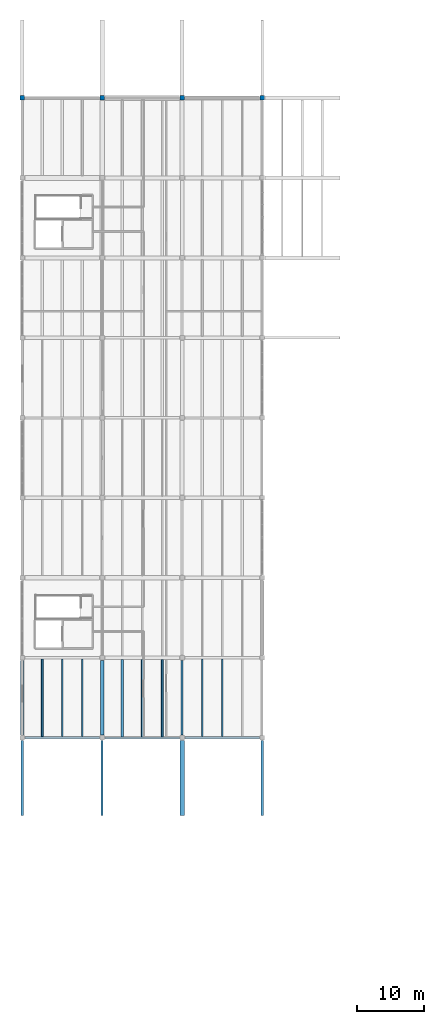
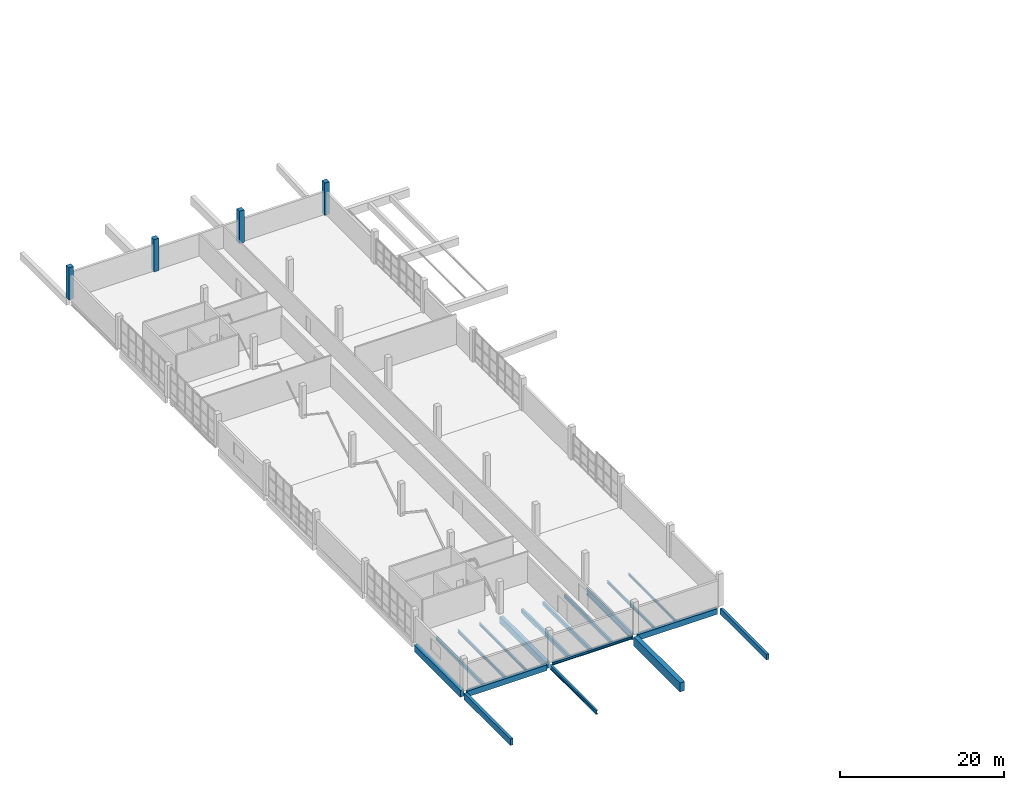
# One storey, part 4 of 49: 18 beams, 4 columns.
"""IFC4 building model written with IfcOpenShell, lengths in metres."""

from ifc_helpers import new_model, si_unit, direction, frame, origin, origin_2d, place, context, subcontext, project, spatial, rectangle, i_section, extrude, material, material_profile, profile_set, type_object, element, save


model = new_model("IFC4")

# Units and contexts
model_context = context("Model", 3, precision=1e-05, world=origin(), true_north=direction((0.0, 1.0)))
body_context = subcontext(model_context, "Body", "Model", "MODEL_VIEW")
ifc_project = project(units=[si_unit("LENGTHUNIT", "METRE"), si_unit("AREAUNIT", "SQUARE_METRE"), si_unit("VOLUMEUNIT", "CUBIC_METRE"), si_unit("PLANEANGLEUNIT", "RADIAN"), si_unit("MASSUNIT", "GRAM", prefix="KILO")], contexts=[model_context])

# Site, building, storey
site_placement = place(None, origin())
site = spatial("IfcSite", under=ifc_project, at=site_placement, CompositionType="ELEMENT")
building_placement = place(site_placement, origin())
building = spatial("IfcBuilding", under=site, at=building_placement, Name="Kamomehara Wholesale Market", CompositionType="ELEMENT")
storey_placement = place(building_placement, frame((0.0, 0.0, 11.39990234375)))
storey = spatial("IfcBuildingStorey", under=building, at=storey_placement, Name="L02", CompositionType="ELEMENT", Elevation=11.39990234375)

# Columns
ifc_material_1 = material(Name="Precast concrete Fc45 (C40/50)", Category="concrete")
ifc_material_profile_1 = material_profile(ifc_material_1, rectangle(XDim=0.679931640625, YDim=0.679931640625, at=origin_2d()), Name="PC-COL-680x680")
ifc_profile_set_1 = profile_set([ifc_material_profile_1], Name="Precast concrete Fc45 (C40/50)")
column_type_1 = type_object("IfcColumnType", Name="COL-PC680", PredefinedType="COLUMN", material=ifc_profile_set_1)
for number, where, z_axis, x_axis, name in (
    (1, (12.0, 144.0, 0.0), (0.0, 0.0, 1.0), (1.0, 0.0, 0.0), "Column C-15 L02"),
    (2, (24.0, 144.0, 0.0), (0.0, 0.0, 1.0), (1.0, 0.0, 0.0), "Column C-15 L02"),
):
    element("IfcColumn", number, at=place(storey_placement, frame(where, z_axis=z_axis, x_axis=x_axis)), inside=storey, type_object=column_type_1, Name=name, PredefinedType="COLUMN", context=body_context, shape_type="SweptSolid", body=[
        extrude(rectangle(XDim=0.679931640625, YDim=0.679931640625, at=origin_2d()), origin(), (0.0, 0.0, 1.0), 4.800048828125),
    ])
ifc_material_2 = material(Name="Precast concrete Fc45 (C40/50)", Category="concrete")
ifc_material_profile_2 = material_profile(ifc_material_2, rectangle(XDim=0.679931640625, YDim=0.679931640625, at=origin_2d()), Name="PC-COL-680x680")
ifc_profile_set_2 = profile_set([ifc_material_profile_2], Name="Precast concrete Fc45 (C40/50)")
column_type_2 = type_object("IfcColumnType", Name="COL-PC680-EXT", PredefinedType="COLUMN", material=ifc_profile_set_2)
for number, where, z_axis, x_axis, name in (
    (3, (0.0, 144.0, 0.0), (0.0, 0.0, 1.0), (1.0, 0.0, 0.0), "Column C-15E L02"),
    (4, (36.0, 144.0, 0.0), (0.0, 0.0, 1.0), (1.0, 0.0, 0.0), "Column C-15E L02"),
):
    element("IfcColumn", number, at=place(storey_placement, frame(where, z_axis=z_axis, x_axis=x_axis)), inside=storey, type_object=column_type_2, Name=name, PredefinedType="COLUMN", context=body_context, shape_type="SweptSolid", body=[
        extrude(rectangle(XDim=0.679931640625, YDim=0.679931640625, at=origin_2d()), origin(), (0.0, 0.0, 1.0), 4.800048828125),
    ])

# Beams
ifc_material_3 = material(Name="Precast concrete Fc45 (C40/50)", Category="concrete")
ifc_material_profile_3 = material_profile(ifc_material_3, rectangle(XDim=0.5, YDim=1.0, at=origin_2d()), Name="PC-GRD-500x1000")
ifc_profile_set_3 = profile_set([ifc_material_profile_3], Name="Precast concrete Fc45 (C40/50)")
beam_type_1 = type_object("IfcBeamType", Name="BM-PG1000", PredefinedType="T_BEAM", material=ifc_profile_set_3)
beam_1_placement = place(storey_placement, frame((12.0, 48.389892578125, -0.81201171875), z_axis=(0.0, 1.0, 0.0), x_axis=(-1.0, 0.0, 0.0)))
element("IfcBeam", 5, at=beam_1_placement, inside=storey, type_object=beam_type_1, Name="Beam PG-09 L02", PredefinedType="T_BEAM", context=body_context, shape_type="SweptSolid", body=[
    extrude(rectangle(XDim=0.5, YDim=1.0, at=origin_2d()), origin(), (0.0, 0.0, 1.0), 11.22021484375),
])
ifc_material_4 = material(Name="Precast concrete Fc45 (C40/50)", Category="concrete")
ifc_material_profile_4 = material_profile(ifc_material_4, rectangle(XDim=0.64990234375, YDim=1.35009765625, at=origin_2d()), Name="PC-GRD-650x1350")
ifc_profile_set_4 = profile_set([ifc_material_profile_4], Name="Precast concrete Fc45 (C40/50)")
beam_type_2 = type_object("IfcBeamType", Name="BM-PG1350", PredefinedType="T_BEAM", material=ifc_profile_set_4)
beam_2_placement = place(storey_placement, frame((24.0, 36.324951171875, -0.934814453125), z_axis=(0.0, 1.0, 0.0), x_axis=(-1.0, 0.0, 0.0)))
element("IfcBeam", 6, at=beam_2_placement, inside=storey, type_object=beam_type_2, Name="Beam PG-03 L02", PredefinedType="T_BEAM", context=body_context, shape_type="SweptSolid", body=[
    extrude(rectangle(XDim=0.64990234375, YDim=1.35009765625, at=origin_2d()), origin(), (0.0, 0.0, 1.0), 11.28515625),
])
ifc_material_5 = material(Name="Precast concrete Fc45 (C40/50)", Category="concrete")
ifc_material_profile_5 = material_profile(ifc_material_5, rectangle(XDim=0.280029296875, YDim=0.5, at=origin_2d()), Name="PC-JST-280x500")
ifc_profile_set_5 = profile_set([ifc_material_profile_5], Name="Precast concrete Fc45 (C40/50)")
beam_type_3 = type_object("IfcBeamType", Name="BM-PJ500", PredefinedType="JOIST", material=ifc_profile_set_5)
beam_3_placement = place(storey_placement, frame((3.0, 48.175048828125, -0.56201171875), z_axis=(0.0, 1.0, 0.0), x_axis=(-1.0, 0.0, 0.0)))
element("IfcBeam", 7, at=beam_3_placement, inside=storey, type_object=beam_type_3, Name="Beam PJ-11 L02", PredefinedType="JOIST", context=body_context, shape_type="SweptSolid", body=[
    extrude(rectangle(XDim=0.280029296875, YDim=0.5, at=origin_2d()), origin(), (0.0, 0.0, 1.0), 11.625),
])
beam_4_placement = place(storey_placement, frame((21.0, 48.14990234375, -0.56201171875), z_axis=(0.0, 1.0, 0.0), x_axis=(-1.0, 0.0, 0.0)))
element("IfcBeam", 8, at=beam_4_placement, inside=storey, type_object=beam_type_3, Name="Beam PJ-11 L02", PredefinedType="JOIST", context=body_context, shape_type="SweptSolid", body=[
    extrude(rectangle(XDim=0.280029296875, YDim=0.5, at=origin_2d()), origin(), (0.0, 0.0, 1.0), 11.5751953125),
])
ifc_material_6 = material(Name="Precast concrete Fc45 (C40/50)", Category="concrete")
ifc_material_profile_6 = material_profile(ifc_material_6, rectangle(XDim=0.300048828125, YDim=0.550048828125, at=origin_2d()), Name="PC-JST-300x550")
ifc_profile_set_6 = profile_set([ifc_material_profile_6], Name="Precast concrete Fc45 (C40/50)")
beam_type_4 = type_object("IfcBeamType", Name="BM-PJ550", PredefinedType="JOIST", material=ifc_profile_set_6)
beam_5_placement = place(storey_placement, frame((18.0, 48.14990234375, -0.5869140625), z_axis=(0.0, 1.0, 0.0), x_axis=(-1.0, 0.0, 0.0)))
element("IfcBeam", 9, at=beam_5_placement, inside=storey, type_object=beam_type_4, Name="Beam PJ-06 L02", PredefinedType="JOIST", context=body_context, shape_type="SweptSolid", body=[
    extrude(rectangle(XDim=0.300048828125, YDim=0.550048828125, at=origin_2d()), origin(), (0.0, 0.0, 1.0), 11.5751953125),
])
ifc_material_7 = material(Name="Precast concrete Fc45 (C40/50)", Category="concrete")
ifc_material_profile_7 = material_profile(ifc_material_7, rectangle(XDim=0.320068359375, YDim=0.60009765625, at=origin_2d()), Name="PC-JST-320x600")
ifc_profile_set_7 = profile_set([ifc_material_profile_7], Name="Precast concrete Fc45 (C40/50)")
beam_type_5 = type_object("IfcBeamType", Name="BM-PJ600", PredefinedType="JOIST", material=ifc_profile_set_7)
beam_6_placement = place(storey_placement, frame((15.0, 48.14990234375, -0.61181640625), z_axis=(0.0, 1.0, 0.0), x_axis=(-1.0, 0.0, 0.0)))
element("IfcBeam", 10, at=beam_6_placement, inside=storey, type_object=beam_type_5, Name="Beam PJ-05 L02", PredefinedType="JOIST", context=body_context, shape_type="SweptSolid", body=[
    extrude(rectangle(XDim=0.320068359375, YDim=0.60009765625, at=origin_2d()), origin(), (0.0, 0.0, 1.0), 11.5751953125),
])
ifc_material_8 = material(Name="Concrete Fc36 (C35/45)", Category="concrete")
ifc_material_profile_8 = material_profile(ifc_material_8, rectangle(XDim=0.550048828125, YDim=1.0, at=origin_2d()), Name="RC-SEB-550x1000")
ifc_profile_set_8 = profile_set([ifc_material_profile_8], Name="Concrete Fc36 (C35/45)")
beam_type_6 = type_object("IfcBeamType", Name="BM-SEB1000-EXT", PredefinedType="SPANDREL", material=ifc_profile_set_8)
beam_7_placement = place(storey_placement, frame((0.0, 48.389892578125, -0.81201171875), z_axis=(0.0, 1.0, 0.0), x_axis=(-1.0, 0.0, 0.0)))
element("IfcBeam", 11, at=beam_7_placement, inside=storey, type_object=beam_type_6, Name="Beam SEB-03E L02", PredefinedType="SPANDREL", context=body_context, shape_type="SweptSolid", body=[
    extrude(rectangle(XDim=0.550048828125, YDim=1.0, at=origin_2d()), origin(), (0.0, 0.0, 1.0), 11.22021484375),
])
ifc_material_9 = material(Name="Precast concrete Fc45 (C40/50)", Category="concrete")
ifc_material_profile_9 = material_profile(ifc_material_9, rectangle(XDim=0.35009765625, YDim=0.85009765625, at=origin_2d()), Name="PC-SPN-350x850")
ifc_profile_set_9 = profile_set([ifc_material_profile_9], Name="Precast concrete Fc45 (C40/50)")
beam_type_7 = type_object("IfcBeamType", Name="BM-SPN850-EXT", PredefinedType="SPANDREL", material=ifc_profile_set_9)
beam_8_placement = place(storey_placement, frame((36.0, 36.324951171875, -0.684814453125), z_axis=(0.0, 1.0, 0.0), x_axis=(-1.0, 0.0, 0.0)))
element("IfcBeam", 12, at=beam_8_placement, inside=storey, type_object=beam_type_7, Name="Beam SPN-02E L02", PredefinedType="SPANDREL", context=body_context, shape_type="SweptSolid", body=[
    extrude(rectangle(XDim=0.35009765625, YDim=0.85009765625, at=origin_2d()), origin(), (0.0, 0.0, 1.0), 11.28515625),
])
for number, where, z_axis, x_axis, name in (
    (13, (0.389892578125, 48.0, -0.73681640625), (1.0, 0.0, 0.0), (0.0, 1.0, 0.0), "Beam SPN-02E L02"),
    (14, (24.389892578125, 48.0, -0.746826171875), (1.0, 0.0, 0.0), (0.0, 1.0, 0.0), "Beam SPN-02E L02"),
):
    element("IfcBeam", number, at=place(storey_placement, frame(where, z_axis=z_axis, x_axis=x_axis)), inside=storey, type_object=beam_type_7, Name=name, PredefinedType="SPANDREL", context=body_context, shape_type="SweptSolid", body=[
        extrude(rectangle(XDim=0.35009765625, YDim=0.85009765625, at=origin_2d()), origin(), (0.0, 0.0, 1.0), 11.22021484375),
    ])
ifc_material_10 = material(Name="Precast concrete Fc45 (C40/50)", Category="concrete")
ifc_material_profile_10 = material_profile(ifc_material_10, rectangle(XDim=0.39990234375, YDim=0.949951171875, at=origin_2d()), Name="PC-SPN-400x950")
ifc_profile_set_10 = profile_set([ifc_material_profile_10], Name="Precast concrete Fc45 (C40/50)")
beam_type_8 = type_object("IfcBeamType", Name="BM-SPN950-EXT", PredefinedType="SPANDREL", material=ifc_profile_set_10)
beam_9_placement = place(storey_placement, frame((0.0, 36.324951171875, -0.73486328125), z_axis=(0.0, 1.0, 0.0), x_axis=(-1.0, 0.0, 0.0)))
element("IfcBeam", 15, at=beam_9_placement, inside=storey, type_object=beam_type_8, Name="Beam SPN-01E L02", PredefinedType="SPANDREL", context=body_context, shape_type="SweptSolid", body=[
    extrude(rectangle(XDim=0.39990234375, YDim=0.949951171875, at=origin_2d()), origin(), (0.0, 0.0, 1.0), 11.28515625),
])
ifc_material_11 = material(Name="Steel SN400B", Category="steel")
ifc_material_profile_11 = material_profile(ifc_material_11, i_section(OverallWidth=0.175048828125, OverallDepth=0.35009765625, WebThickness=0.007080078125, FlangeThickness=0.010986328125, FilletRadius=0.012939453125, at=origin_2d()), Name="H-350x175x7x11")
ifc_profile_set_11 = profile_set([ifc_material_profile_11], Name="Steel SN400B")
beam_type_9 = type_object("IfcBeamType", Name="BM-ST-H350", PredefinedType="JOIST", material=ifc_profile_set_11)
beam_10_placement = place(storey_placement, frame((30.0, 48.175048828125, -0.496826171875), z_axis=(0.0, 1.0, 0.0), x_axis=(-1.0, 0.0, 0.0)))
element("IfcBeam", 16, at=beam_10_placement, inside=storey, type_object=beam_type_9, Name="Beam SJ-04 L02", PredefinedType="JOIST", context=body_context, shape_type="SweptSolid", body=[
    extrude(i_section(OverallWidth=0.175048828125, OverallDepth=0.35009765625, WebThickness=0.007080078125, FlangeThickness=0.010986328125, FilletRadius=0.012939453125, at=origin_2d()), origin(), (0.0, 0.0, 1.0), 11.625),
])
ifc_material_12 = material(Name="Steel SN490B", Category="steel")
ifc_material_profile_12 = material_profile(ifc_material_12, i_section(OverallWidth=0.300048828125, OverallDepth=0.389892578125, WebThickness=0.010009765625, FlangeThickness=0.01611328125, FilletRadius=0.01806640625, at=origin_2d()), Name="H-390x300x10x16")
ifc_profile_set_12 = profile_set([ifc_material_profile_12], Name="Steel SN490B")
beam_type_10 = type_object("IfcBeamType", Name="BM-ST-H390-EXT", PredefinedType="SPANDREL", material=ifc_profile_set_12)
beam_11_placement = place(storey_placement, frame((12.389892578125, 48.0, -0.5068359375), z_axis=(1.0, 0.0, 0.0), x_axis=(0.0, 1.0, 0.0)))
element("IfcBeam", 17, at=beam_11_placement, inside=storey, type_object=beam_type_10, Name="Beam SJ-03E L02", PredefinedType="SPANDREL", context=body_context, shape_type="SweptSolid", body=[
    extrude(i_section(OverallWidth=0.300048828125, OverallDepth=0.389892578125, WebThickness=0.010009765625, FlangeThickness=0.01611328125, FilletRadius=0.01806640625, at=origin_2d()), origin(), (0.0, 0.0, 1.0), 11.22021484375),
])
ifc_material_13 = material(Name="Steel SN400B", Category="steel")
ifc_material_profile_13 = material_profile(ifc_material_13, i_section(OverallWidth=0.199951171875, OverallDepth=0.39990234375, WebThickness=0.008056640625, FlangeThickness=0.012939453125, FilletRadius=0.012939453125, at=origin_2d()), Name="H-400x200x8x13")
ifc_profile_set_13 = profile_set([ifc_material_profile_13], Name="Steel SN400B")
beam_type_11 = type_object("IfcBeamType", Name="BM-ST-H400", PredefinedType="JOIST", material=ifc_profile_set_13)
for number, where, z_axis, x_axis, name in (
    (18, (9.0, 48.175048828125, -0.511962890625), (0.0, 1.0, 0.0), (-1.0, 0.0, 0.0), "Beam SJ-02 L02"),
    (19, (27.0, 48.175048828125, -0.52197265625), (0.0, 1.0, 0.0), (-1.0, 0.0, 0.0), "Beam SJ-02 L02"),
):
    element("IfcBeam", number, at=place(storey_placement, frame(where, z_axis=z_axis, x_axis=x_axis)), inside=storey, type_object=beam_type_11, Name=name, PredefinedType="JOIST", context=body_context, shape_type="SweptSolid", body=[
        extrude(i_section(OverallWidth=0.199951171875, OverallDepth=0.39990234375, WebThickness=0.008056640625, FlangeThickness=0.012939453125, FilletRadius=0.012939453125, at=origin_2d()), origin(), (0.0, 0.0, 1.0), 11.625),
    ])
ifc_material_14 = material(Name="Steel SN400B", Category="steel")
ifc_material_profile_14 = material_profile(ifc_material_14, i_section(OverallWidth=0.199951171875, OverallDepth=0.449951171875, WebThickness=0.009033203125, FlangeThickness=0.013916015625, FilletRadius=0.012939453125, at=origin_2d()), Name="H-450x200x9x14")
ifc_profile_set_14 = profile_set([ifc_material_profile_14], Name="Steel SN400B")
beam_type_12 = type_object("IfcBeamType", Name="BM-ST-H450", PredefinedType="JOIST", material=ifc_profile_set_14)
beam_12_placement = place(storey_placement, frame((6.0, 48.175048828125, -0.536865234375), z_axis=(0.0, 1.0, 0.0), x_axis=(-1.0, 0.0, 0.0)))
element("IfcBeam", 20, at=beam_12_placement, inside=storey, type_object=beam_type_12, Name="Beam SJ-01 L02", PredefinedType="JOIST", context=body_context, shape_type="SweptSolid", body=[
    extrude(i_section(OverallWidth=0.199951171875, OverallDepth=0.449951171875, WebThickness=0.009033203125, FlangeThickness=0.013916015625, FilletRadius=0.012939453125, at=origin_2d()), origin(), (0.0, 0.0, 1.0), 11.625),
])
ifc_material_15 = material(Name="Steel SN490B", Category="steel")
ifc_material_profile_15 = material_profile(ifc_material_15, i_section(OverallWidth=0.300048828125, OverallDepth=0.58203125, WebThickness=0.011962890625, FlangeThickness=0.01708984375, FilletRadius=0.02197265625, at=origin_2d()), Name="H-582x300x12x17")
ifc_profile_set_15 = profile_set([ifc_material_profile_15], Name="Steel SN490B")
beam_type_13 = type_object("IfcBeamType", Name="BM-ST-H582", PredefinedType="BEAM", material=ifc_profile_set_15)
beam_13_placement = place(storey_placement, frame((12.0, 36.324951171875, -0.55078125), z_axis=(0.0, 1.0, 0.0), x_axis=(-1.0, 0.0, 0.0)))
element("IfcBeam", 21, at=beam_13_placement, inside=storey, type_object=beam_type_13, Name="Beam SG-10 L02", PredefinedType="BEAM", context=body_context, shape_type="SweptSolid", body=[
    extrude(i_section(OverallWidth=0.300048828125, OverallDepth=0.58203125, WebThickness=0.011962890625, FlangeThickness=0.01708984375, FilletRadius=0.02197265625, at=origin_2d()), origin(), (0.0, 0.0, 1.0), 11.28515625),
])
ifc_material_16 = material(Name="Steel SN490B", Category="steel")
ifc_material_profile_16 = material_profile(ifc_material_16, i_section(OverallWidth=0.300048828125, OverallDepth=0.89990234375, WebThickness=0.01611328125, FlangeThickness=0.028076171875, FilletRadius=0.02392578125, at=origin_2d()), Name="H-900x300x16x28")
ifc_profile_set_16 = profile_set([ifc_material_profile_16], Name="Steel SN490B")
beam_type_14 = type_object("IfcBeamType", Name="BM-ST-H900", PredefinedType="BEAM", material=ifc_profile_set_16)
beam_14_placement = place(storey_placement, frame((24.0, 48.389892578125, -0.77197265625), z_axis=(0.0, 1.0, 0.0), x_axis=(-1.0, 0.0, 0.0)))
element("IfcBeam", 22, at=beam_14_placement, inside=storey, type_object=beam_type_14, Name="Beam SG-01 L02", PredefinedType="BEAM", context=body_context, shape_type="SweptSolid", body=[
    extrude(i_section(OverallWidth=0.300048828125, OverallDepth=0.89990234375, WebThickness=0.01611328125, FlangeThickness=0.028076171875, FilletRadius=0.02392578125, at=origin_2d()), origin(), (0.0, 0.0, 1.0), 11.22021484375),
])

save(model, "model.ifc")
